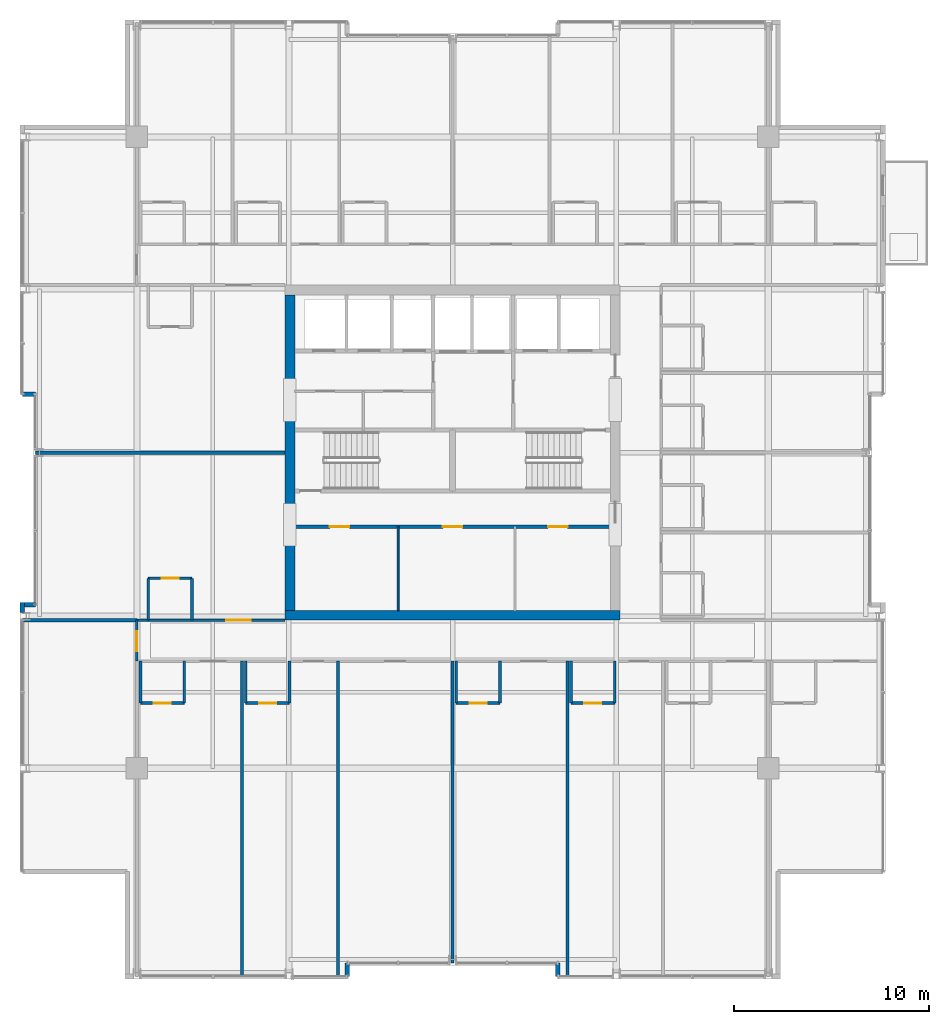
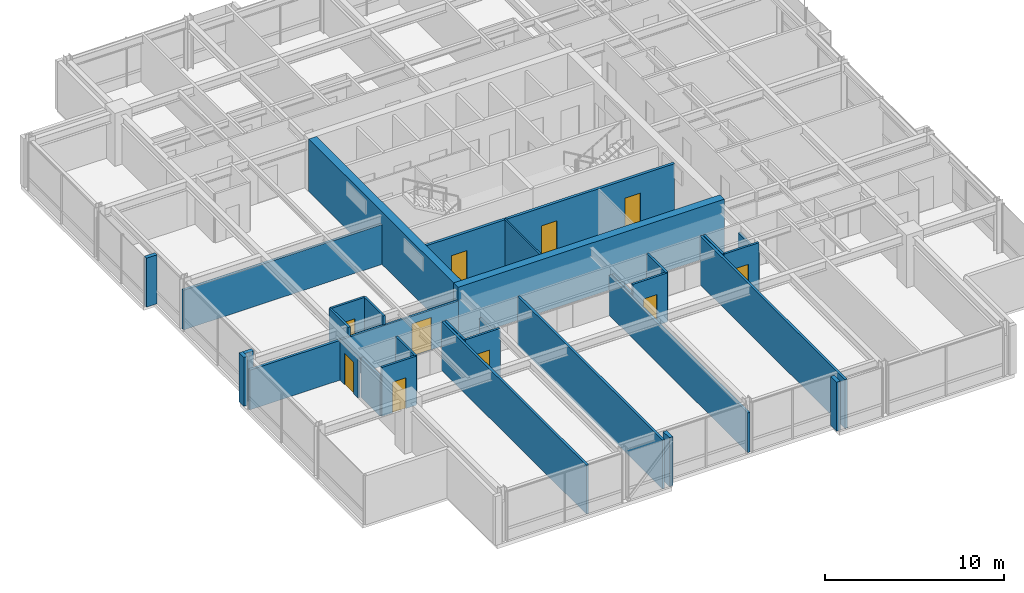
# One storey, part 27 of 34: 32 walls, 10 doors, 10 openings.
"""IFC4 building model written with IfcOpenShell, lengths in metres."""

from ifc_helpers import new_model, si_unit, direction, frame, frame_2d, origin, place, context, subcontext, project, spatial, rectangle, extrude, material, layer, layer_set, type_object, element, fill, save


model = new_model("IFC4")

# Units and contexts
model_context = context("Model", 3, precision=1e-05, world=origin(), true_north=direction((0.0, 1.0)))
body_context = subcontext(model_context, "Body", "Model", "MODEL_VIEW")
ifc_project = project(units=[si_unit("LENGTHUNIT", "METRE"), si_unit("AREAUNIT", "SQUARE_METRE"), si_unit("VOLUMEUNIT", "CUBIC_METRE"), si_unit("PLANEANGLEUNIT", "RADIAN"), si_unit("MASSUNIT", "GRAM", prefix="KILO")], contexts=[model_context])

# Site, building, storey
site_placement = place(None, origin())
site = spatial("IfcSite", under=ifc_project, at=site_placement, CompositionType="ELEMENT")
building_placement = place(site_placement, origin())
building = spatial("IfcBuilding", under=site, at=building_placement, Name="Drelvath Grand Hotel", CompositionType="ELEMENT")
storey_placement = place(building_placement, frame((0.0, 0.0, 208.699951171875)))
storey = spatial("IfcBuildingStorey", under=building, at=storey_placement, Name="L54", CompositionType="ELEMENT", Elevation=208.699951171875)

# Wall
ifc_material_1 = material(Name="Gypsum Partition Board")
ifc_layer_1 = layer(ifc_material_1, 0.10009765625)
ifc_layer_set_1 = layer_set([ifc_layer_1], Name="Gypsum Partition Board")
wall_type_1 = type_object("IfcWallType", Name="Core Closet Partition 100", PredefinedType="PARTITIONING", material=ifc_layer_set_1)
wall_1_placement = place(storey_placement, frame((-2.800048828125, 18.89990234375, 0.0), z_axis=(0.0, 0.0, 1.0), x_axis=(0.0, 1.0, 0.0)))
element("IfcWall", 1, at=wall_1_placement, inside=storey, type_object=wall_type_1, Name="L54 Upper Core Split 1A", PredefinedType="PARTITIONING", context=body_context, shape_type="SweptSolid", body=[
    extrude(rectangle(XDim=4.300048828125, YDim=0.10009765625, at=frame_2d((2.14990234375, 0.0))), origin(), (0.0, 0.0, 1.0), 3.340087890625),
])

# Wall, opening, door
ifc_material_2 = material(Name="Gypsum Fireboard Partition")
ifc_layer_2 = layer(ifc_material_2, 0.135009765625)
ifc_layer_set_2 = layer_set([ifc_layer_2], Name="Gypsum Fireboard Partition")
wall_type_2 = type_object("IfcWallType", Name="Corridor Fire Barrier Wall 135", PredefinedType="PARTITIONING", material=ifc_layer_set_2)
wall_2_placement = place(storey_placement, frame((-16.199951171875, 18.39990234375, 0.0), z_axis=(0.0, 0.0, 1.0), x_axis=(1.0, 0.0, 0.0)))
wall_2 = element("IfcWall", 2, at=wall_2_placement, inside=storey, type_object=wall_type_2, Name="L54 South Gallery Inner West Wall", PredefinedType="PARTITIONING", context=body_context, shape_type="SweptSolid", body=[
    extrude(rectangle(XDim=7.599853515625, YDim=0.135009765625, at=frame_2d((3.7998046875, 0.0))), origin(), (0.0, 0.0, 1.0), 2.717529296875),
])
opening_1_placement = place(wall_2_placement, frame((4.5849609375, 0.0, 0.0)))
opening_1 = element("IfcOpeningElement", 3, at=opening_1_placement, cuts=wall_2, Name="Opening D-T4G1-056", PredefinedType="OPENING", context=body_context, shape_type="SweptSolid", body=[
    extrude(rectangle(XDim=1.260009765625, YDim=2.199951171875, at=frame_2d((0.6298828125, 1.10009765625))), frame((0.0, 0.077392578125, 0.0), z_axis=(0.0, -1.0, 0.0), x_axis=(1.0, 0.0, 0.0)), (0.0, 0.0, 1.0), 0.155029296875),
])
ifc_material_3 = material(Name="Hardwood Walnut Timber", Category="wood")
door_type_1 = type_object("IfcDoorType", Name="Suite Entrance Fire Door 1260x2200", OperationType="NOTDEFINED", PredefinedType="DOOR", material=ifc_material_3)
door_1_placement = place(opening_1_placement, origin())
door_1 = element("IfcDoor", 4, at=door_1_placement, inside=storey, type_object=door_type_1, Name="L54 Diplomatic Suite Entry Door", OperationType="SINGLE_SWING_LEFT", OverallHeight=2.199951171875, OverallWidth=1.260009765625, PredefinedType="DOOR", context=body_context, shape_type="SweptSolid", body=[
    extrude(rectangle(XDim=1.260009765625, YDim=2.199951171875, at=frame_2d((0.6298828125, 1.10009765625))), frame((0.0, 0.02490234375, 0.0), z_axis=(0.0, -1.0, 0.0), x_axis=(1.0, 0.0, 0.0)), (0.0, 0.0, 1.0), 0.050048828125),
])
fill(opening_1, door_1)

wall_3_placement = place(storey_placement, frame((-16.199951171875, 16.300048828125, 0.0), z_axis=(0.0, 0.0, 1.0), x_axis=(0.0, 1.0, 0.0)))
wall_3 = element("IfcWall", 5, at=wall_3_placement, inside=storey, type_object=wall_type_2, Name="L54 South Gallery West End", PredefinedType="PARTITIONING", context=body_context, shape_type="SweptSolid", body=[
    extrude(rectangle(XDim=2.099853515625, YDim=0.135009765625, at=frame_2d((1.0498046875, 0.0))), origin(), (0.0, 0.0, 1.0), 2.7138671875),
])
opening_2_placement = place(wall_3_placement, frame((0.52001953125, 0.0, 0.0)))
opening_2 = element("IfcOpeningElement", 6, at=opening_2_placement, cuts=wall_3, Name="Opening D-T4G1-019", PredefinedType="OPENING", context=body_context, shape_type="SweptSolid", body=[
    extrude(rectangle(XDim=1.02001953125, YDim=2.14990234375, at=frame_2d((0.510009765625, 1.074951171875))), frame((0.0, 0.077392578125, 0.0), z_axis=(0.0, -1.0, 0.0), x_axis=(1.0, 0.0, 0.0)), (0.0, 0.0, 1.0), 0.155029296875),
])
door_type_2 = type_object("IfcDoorType", Name="Amenity Meeting Fire Door 1020x2150", OperationType="NOTDEFINED", PredefinedType="DOOR", material=ifc_material_3)
door_2_placement = place(opening_2_placement, origin())
door_2 = element("IfcDoor", 7, at=door_2_placement, inside=storey, type_object=door_type_2, Name="L54 Corner Panorama Lounge Door", OperationType="SINGLE_SWING_RIGHT", OverallHeight=2.14990234375, OverallWidth=1.02001953125, PredefinedType="DOOR", context=body_context, shape_type="SweptSolid", body=[
    extrude(rectangle(XDim=1.02001953125, YDim=2.14990234375, at=frame_2d((0.510009765625, 1.074951171875))), frame((0.0, 0.02490234375, 0.0), z_axis=(0.0, -1.0, 0.0), x_axis=(1.0, 0.0, 0.0)), (0.0, 0.0, 1.0), 0.050048828125),
])
fill(opening_2, door_2)

# Walls
ifc_material_4 = material(Name="Moisture-Resistant Gypsum Board")
ifc_layer_3 = layer(ifc_material_4, 0.139892578125)
ifc_layer_set_3 = layer_set([ifc_layer_3], Name="Moisture-Resistant Gypsum Board")
wall_type_3 = type_object("IfcWallType", Name="En-Suite Plumbing Wall 140", PredefinedType="PLUMBINGWALL", material=ifc_layer_set_3)
wall_4_placement = place(storey_placement, frame((-16.02001953125, 16.300048828125, 0.0), z_axis=(0.0, 0.0, 1.0), x_axis=(0.0, -1.0, 0.0)))
element("IfcWall", 8, at=wall_4_placement, inside=storey, type_object=wall_type_3, Name="L54 En-Suite Left Wall", PredefinedType="PLUMBINGWALL", context=body_context, shape_type="SweptSolid", body=[
    extrude(rectangle(XDim=2.150146484375, YDim=0.139892578125, at=frame_2d((1.0751953125, 0.0))), origin(), (0.0, 0.0, 1.0), 2.7138671875),
])
wall_5_placement = place(storey_placement, frame((-13.77001953125, 16.300048828125, 0.0), z_axis=(0.0, 0.0, 1.0), x_axis=(0.0, -1.0, 0.0)))
element("IfcWall", 9, at=wall_5_placement, inside=storey, type_object=wall_type_3, Name="L54 En-Suite Right Wall", PredefinedType="PLUMBINGWALL", context=body_context, shape_type="SweptSolid", body=[
    extrude(rectangle(XDim=2.150146484375, YDim=0.139892578125, at=frame_2d((1.0751953125, 0.0))), origin(), (0.0, 0.0, 1.0), 3.340087890625),
])

# Wall, opening, door
wall_6_placement = place(storey_placement, frame((-16.02001953125, 14.14990234375, 0.0), z_axis=(0.0, 0.0, 1.0), x_axis=(1.0, 0.0, 0.0)))
wall_6 = element("IfcWall", 10, at=wall_6_placement, inside=storey, type_object=wall_type_3, Name="L54 En-Suite Front Wall", PredefinedType="PLUMBINGWALL", context=body_context, shape_type="SweptSolid", body=[
    extrude(rectangle(XDim=2.25, YDim=0.139892578125, at=frame_2d((1.125, 0.0))), origin(), (0.0, 0.0, 1.0), 3.340087890625),
])
opening_3_placement = place(wall_6_placement, frame((0.68505859375, 0.0, 0.0)))
opening_3 = element("IfcOpeningElement", 11, at=opening_3_placement, cuts=wall_6, Name="Opening D-T4G1-025", PredefinedType="OPENING", context=body_context, shape_type="SweptSolid", body=[
    extrude(rectangle(XDim=0.8798828125, YDim=2.10009765625, at=frame_2d((0.43994140625, 1.050048828125))), frame((0.0, 0.079833984375, 0.0), z_axis=(0.0, -1.0, 0.0), x_axis=(1.0, 0.0, 0.0)), (0.0, 0.0, 1.0), 0.159912109375),
])
door_type_3 = type_object("IfcDoorType", Name="En-Suite Bathroom Door 880x2100", OperationType="NOTDEFINED", PredefinedType="DOOR", material=ifc_material_3)
door_3_placement = place(opening_3_placement, origin())
door_3 = element("IfcDoor", 12, at=door_3_placement, inside=storey, type_object=door_type_3, Name="L54 En-Suite Bathroom Door", OperationType="SINGLE_SWING_RIGHT", OverallHeight=2.10009765625, OverallWidth=0.8798828125, PredefinedType="DOOR", context=body_context, shape_type="SweptSolid", body=[
    extrude(rectangle(XDim=0.8798828125, YDim=2.10009765625, at=frame_2d((0.43994140625, 1.050048828125))), frame((0.0, 0.02490234375, 0.0), z_axis=(0.0, -1.0, 0.0), x_axis=(1.0, 0.0, 0.0)), (0.0, 0.0, 1.0), 0.050048828125),
])
fill(opening_3, door_3)

# Walls
wall_7_placement = place(storey_placement, frame((-10.6201171875, 16.300048828125, 0.0), z_axis=(0.0, 0.0, 1.0), x_axis=(0.0, -1.0, 0.0)))
element("IfcWall", 13, at=wall_7_placement, inside=storey, type_object=wall_type_3, Name="L54 En-Suite Left Wall", PredefinedType="PLUMBINGWALL", context=body_context, shape_type="SweptSolid", body=[
    extrude(rectangle(XDim=2.150146484375, YDim=0.139892578125, at=frame_2d((1.0751953125, 0.0))), origin(), (0.0, 0.0, 1.0), 3.340087890625),
])
wall_8_placement = place(storey_placement, frame((-8.3701171875, 16.300048828125, 0.0), z_axis=(0.0, 0.0, 1.0), x_axis=(0.0, -1.0, 0.0)))
element("IfcWall", 14, at=wall_8_placement, inside=storey, type_object=wall_type_3, Name="L54 En-Suite Right Wall", PredefinedType="PLUMBINGWALL", context=body_context, shape_type="SweptSolid", body=[
    extrude(rectangle(XDim=2.150146484375, YDim=0.139892578125, at=frame_2d((1.0751953125, 0.0))), origin(), (0.0, 0.0, 1.0), 2.717529296875),
])

# Wall, opening, door
wall_9_placement = place(storey_placement, frame((-10.6201171875, 14.14990234375, 0.0), z_axis=(0.0, 0.0, 1.0), x_axis=(1.0, 0.0, 0.0)))
wall_9 = element("IfcWall", 15, at=wall_9_placement, inside=storey, type_object=wall_type_3, Name="L54 En-Suite Front Wall", PredefinedType="PLUMBINGWALL", context=body_context, shape_type="SweptSolid", body=[
    extrude(rectangle(XDim=2.25, YDim=0.139892578125, at=frame_2d((1.125, 0.0))), origin(), (0.0, 0.0, 1.0), 3.340087890625),
])
opening_4_placement = place(wall_9_placement, frame((0.68505859375, 0.0, 0.0)))
opening_4 = element("IfcOpeningElement", 16, at=opening_4_placement, cuts=wall_9, Name="Opening D-T4G1-027", PredefinedType="OPENING", context=body_context, shape_type="SweptSolid", body=[
    extrude(rectangle(XDim=0.8798828125, YDim=2.10009765625, at=frame_2d((0.43994140625, 1.050048828125))), frame((0.0, 0.079833984375, 0.0), z_axis=(0.0, -1.0, 0.0), x_axis=(1.0, 0.0, 0.0)), (0.0, 0.0, 1.0), 0.159912109375),
])
door_4_placement = place(opening_4_placement, origin())
door_4 = element("IfcDoor", 17, at=door_4_placement, inside=storey, type_object=door_type_3, Name="L54 En-Suite Bathroom Door", OperationType="SINGLE_SWING_RIGHT", OverallHeight=2.10009765625, OverallWidth=0.8798828125, PredefinedType="DOOR", context=body_context, shape_type="SweptSolid", body=[
    extrude(rectangle(XDim=0.8798828125, YDim=2.10009765625, at=frame_2d((0.43994140625, 1.050048828125))), frame((0.0, 0.02490234375, 0.0), z_axis=(0.0, -1.0, 0.0), x_axis=(1.0, 0.0, 0.0)), (0.0, 0.0, 1.0), 0.050048828125),
])
fill(opening_4, door_4)

# Walls
wall_10_placement = place(storey_placement, frame((0.179931640625, 16.300048828125, 0.0), z_axis=(0.0, 0.0, 1.0), x_axis=(0.0, -1.0, 0.0)))
element("IfcWall", 18, at=wall_10_placement, inside=storey, type_object=wall_type_3, Name="L54 En-Suite Left Wall", PredefinedType="PLUMBINGWALL", context=body_context, shape_type="SweptSolid", body=[
    extrude(rectangle(XDim=2.150146484375, YDim=0.139892578125, at=frame_2d((1.0751953125, 0.0))), origin(), (0.0, 0.0, 1.0), 2.717529296875),
])
wall_11_placement = place(storey_placement, frame((2.429931640625, 16.300048828125, 0.0), z_axis=(0.0, 0.0, 1.0), x_axis=(0.0, -1.0, 0.0)))
element("IfcWall", 19, at=wall_11_placement, inside=storey, type_object=wall_type_3, Name="L54 En-Suite Right Wall", PredefinedType="PLUMBINGWALL", context=body_context, shape_type="SweptSolid", body=[
    extrude(rectangle(XDim=2.150146484375, YDim=0.139892578125, at=frame_2d((1.0751953125, 0.0))), origin(), (0.0, 0.0, 1.0), 3.340087890625),
])

# Wall, opening, door
wall_12_placement = place(storey_placement, frame((0.179931640625, 14.14990234375, 0.0), z_axis=(0.0, 0.0, 1.0), x_axis=(1.0, 0.0, 0.0)))
wall_12 = element("IfcWall", 20, at=wall_12_placement, inside=storey, type_object=wall_type_3, Name="L54 En-Suite Front Wall", PredefinedType="PLUMBINGWALL", context=body_context, shape_type="SweptSolid", body=[
    extrude(rectangle(XDim=2.25, YDim=0.139892578125, at=frame_2d((1.125, 0.0))), origin(), (0.0, 0.0, 1.0), 3.340087890625),
])
opening_5_placement = place(wall_12_placement, frame((0.68505859375, 0.0, 0.0)))
opening_5 = element("IfcOpeningElement", 21, at=opening_5_placement, cuts=wall_12, Name="Opening D-T4G1-030", PredefinedType="OPENING", context=body_context, shape_type="SweptSolid", body=[
    extrude(rectangle(XDim=0.8798828125, YDim=2.10009765625, at=frame_2d((0.43994140625, 1.050048828125))), frame((0.0, 0.079833984375, 0.0), z_axis=(0.0, -1.0, 0.0), x_axis=(1.0, 0.0, 0.0)), (0.0, 0.0, 1.0), 0.159912109375),
])
door_5_placement = place(opening_5_placement, origin())
door_5 = element("IfcDoor", 22, at=door_5_placement, inside=storey, type_object=door_type_3, Name="L54 En-Suite Bathroom Door", OperationType="SINGLE_SWING_LEFT", OverallHeight=2.10009765625, OverallWidth=0.8798828125, PredefinedType="DOOR", context=body_context, shape_type="SweptSolid", body=[
    extrude(rectangle(XDim=0.8798828125, YDim=2.10009765625, at=frame_2d((0.43994140625, 1.050048828125))), frame((0.0, 0.02490234375, 0.0), z_axis=(0.0, -1.0, 0.0), x_axis=(1.0, 0.0, 0.0)), (0.0, 0.0, 1.0), 0.050048828125),
])
fill(opening_5, door_5)

# Walls
wall_13_placement = place(storey_placement, frame((6.07080078125, 16.300048828125, 0.0), z_axis=(0.0, 0.0, 1.0), x_axis=(0.0, -1.0, 0.0)))
element("IfcWall", 23, at=wall_13_placement, inside=storey, type_object=wall_type_3, Name="L54 En-Suite Left Wall", PredefinedType="PLUMBINGWALL", context=body_context, shape_type="SweptSolid", body=[
    extrude(rectangle(XDim=2.150146484375, YDim=0.139892578125, at=frame_2d((1.0751953125, 0.0))), origin(), (0.0, 0.0, 1.0), 3.340087890625),
])
wall_14_placement = place(storey_placement, frame((8.32080078125, 16.300048828125, 0.0), z_axis=(0.0, 0.0, 1.0), x_axis=(0.0, -1.0, 0.0)))
element("IfcWall", 24, at=wall_14_placement, inside=storey, type_object=wall_type_3, Name="L54 En-Suite Right Wall", PredefinedType="PLUMBINGWALL", context=body_context, shape_type="SweptSolid", body=[
    extrude(rectangle(XDim=2.150146484375, YDim=0.139892578125, at=frame_2d((1.0751953125, 0.0))), origin(), (0.0, 0.0, 1.0), 2.717529296875),
])

# Wall, opening, door
wall_15_placement = place(storey_placement, frame((6.07080078125, 14.14990234375, 0.0), z_axis=(0.0, 0.0, 1.0), x_axis=(1.0, 0.0, 0.0)))
wall_15 = element("IfcWall", 25, at=wall_15_placement, inside=storey, type_object=wall_type_3, Name="L54 En-Suite Front Wall", PredefinedType="PLUMBINGWALL", context=body_context, shape_type="SweptSolid", body=[
    extrude(rectangle(XDim=2.25, YDim=0.139892578125, at=frame_2d((1.125, 0.0))), origin(), (0.0, 0.0, 1.0), 3.340087890625),
])
opening_6_placement = place(wall_15_placement, frame((0.68505859375, 0.0, 0.0)))
opening_6 = element("IfcOpeningElement", 26, at=opening_6_placement, cuts=wall_15, Name="Opening D-T4G1-032", PredefinedType="OPENING", context=body_context, shape_type="SweptSolid", body=[
    extrude(rectangle(XDim=0.8798828125, YDim=2.10009765625, at=frame_2d((0.43994140625, 1.050048828125))), frame((0.0, 0.079833984375, 0.0), z_axis=(0.0, -1.0, 0.0), x_axis=(1.0, 0.0, 0.0)), (0.0, 0.0, 1.0), 0.159912109375),
])
door_6_placement = place(opening_6_placement, origin())
door_6 = element("IfcDoor", 27, at=door_6_placement, inside=storey, type_object=door_type_3, Name="L54 En-Suite Bathroom Door", OperationType="SINGLE_SWING_LEFT", OverallHeight=2.10009765625, OverallWidth=0.8798828125, PredefinedType="DOOR", context=body_context, shape_type="SweptSolid", body=[
    extrude(rectangle(XDim=0.8798828125, YDim=2.10009765625, at=frame_2d((0.43994140625, 1.050048828125))), frame((0.0, 0.02490234375, 0.0), z_axis=(0.0, -1.0, 0.0), x_axis=(1.0, 0.0, 0.0)), (0.0, 0.0, 1.0), 0.050048828125),
])
fill(opening_6, door_6)

# Walls
for number, where, z_axis, x_axis, name in (
    (28, (-15.6201171875, 18.39990234375, 0.0), (0.0, 0.0, 1.0), (0.0, 1.0, 0.0), "L54 En-Suite Left Wall"),
    (29, (-13.3701171875, 18.39990234375, 0.0), (0.0, 0.0, 1.0), (0.0, 1.0, 0.0), "L54 En-Suite Right Wall"),
):
    element("IfcWall", number, at=place(storey_placement, frame(where, z_axis=z_axis, x_axis=x_axis)), inside=storey, type_object=wall_type_3, Name=name, PredefinedType="PLUMBINGWALL", context=body_context, shape_type="SweptSolid", body=[
        extrude(rectangle(XDim=2.150146484375, YDim=0.139892578125, at=frame_2d((1.0751953125, 0.0))), origin(), (0.0, 0.0, 1.0), 3.340087890625),
    ])

# Wall, opening, door
wall_16_placement = place(storey_placement, frame((-15.6201171875, 20.550048828125, 0.0), z_axis=(0.0, 0.0, 1.0), x_axis=(1.0, 0.0, 0.0)))
wall_16 = element("IfcWall", 30, at=wall_16_placement, inside=storey, type_object=wall_type_3, Name="L54 En-Suite Front Wall", PredefinedType="PLUMBINGWALL", context=body_context, shape_type="SweptSolid", body=[
    extrude(rectangle(XDim=2.25, YDim=0.139892578125, at=frame_2d((1.125, 0.0))), origin(), (0.0, 0.0, 1.0), 3.340087890625),
])
opening_7_placement = place(wall_16_placement, frame((0.68505859375, 0.0, 0.0)))
opening_7 = element("IfcOpeningElement", 31, at=opening_7_placement, cuts=wall_16, Name="Opening D-T4G1-055", PredefinedType="OPENING", context=body_context, shape_type="SweptSolid", body=[
    extrude(rectangle(XDim=0.8798828125, YDim=2.10009765625, at=frame_2d((0.43994140625, 1.050048828125))), frame((0.0, 0.079833984375, 0.0), z_axis=(0.0, -1.0, 0.0), x_axis=(1.0, 0.0, 0.0)), (0.0, 0.0, 1.0), 0.159912109375),
])
door_7_placement = place(opening_7_placement, origin())
door_7 = element("IfcDoor", 32, at=door_7_placement, inside=storey, type_object=door_type_3, Name="L54 En-Suite Bathroom Door", OperationType="SINGLE_SWING_RIGHT", OverallHeight=2.10009765625, OverallWidth=0.8798828125, PredefinedType="DOOR", context=body_context, shape_type="SweptSolid", body=[
    extrude(rectangle(XDim=0.8798828125, YDim=2.10009765625, at=frame_2d((0.43994140625, 1.050048828125))), frame((0.0, 0.02490234375, 0.0), z_axis=(0.0, -1.0, 0.0), x_axis=(1.0, 0.0, 0.0)), (0.0, 0.0, 1.0), 0.050048828125),
])
fill(opening_7, door_7)

# Wall, openings, doors
ifc_layer_4 = layer(ifc_material_2, 0.179931640625)
ifc_layer_set_4 = layer_set([ifc_layer_4], Name="Gypsum Fireboard Partition")
wall_type_4 = type_object("IfcWallType", Name="FSAE Smoke Lobby Fire Wall 180", PredefinedType="SOLIDWALL", material=ifc_layer_set_4)
wall_17_placement = place(storey_placement, frame((-8.10009765625, 23.199951171875, 0.0), z_axis=(0.0, 0.0, 1.0), x_axis=(1.0, 0.0, 0.0)))
wall_17 = element("IfcWall", 33, at=wall_17_placement, inside=storey, type_object=wall_type_4, Name="L54 Upper Reclaimed Core Wall", PredefinedType="SOLIDWALL", context=body_context, shape_type="SweptSolid", body=[
    extrude(rectangle(XDim=16.2001953125, YDim=0.179931640625, at=frame_2d((8.10009765625, 0.0))), origin(), (0.0, 0.0, 1.0), 3.340087890625),
])
opening_8_placement = place(wall_17_placement, frame((1.800048828125, 0.0, 0.0)))
opening_8 = element("IfcOpeningElement", 34, at=opening_8_placement, cuts=wall_17, Name="Opening D-T4G1-016", PredefinedType="OPENING", context=body_context, shape_type="SweptSolid", body=[
    extrude(rectangle(XDim=1.0, YDim=2.10009765625, at=frame_2d((0.5, 1.050048828125))), frame((0.0, 0.099853515625, 0.0), z_axis=(0.0, -1.0, 0.0), x_axis=(1.0, 0.0, 0.0)), (0.0, 0.0, 1.0), 0.199951171875),
])
opening_9_placement = place(wall_17_placement, frame((7.60009765625, 0.0, 0.0)))
opening_9 = element("IfcOpeningElement", 35, at=opening_9_placement, cuts=wall_17, Name="Opening D-T4G1-017", PredefinedType="OPENING", context=body_context, shape_type="SweptSolid", body=[
    extrude(rectangle(XDim=1.0, YDim=2.10009765625, at=frame_2d((0.5, 1.050048828125))), frame((0.0, 0.099853515625, 0.0), z_axis=(0.0, -1.0, 0.0), x_axis=(1.0, 0.0, 0.0)), (0.0, 0.0, 1.0), 0.199951171875),
])
opening_10_placement = place(wall_17_placement, frame((13.0, 0.0, 0.0)))
opening_10 = element("IfcOpeningElement", 36, at=opening_10_placement, cuts=wall_17, Name="Opening D-T4G1-018", PredefinedType="OPENING", context=body_context, shape_type="SweptSolid", body=[
    extrude(rectangle(XDim=1.0, YDim=2.10009765625, at=frame_2d((0.5, 1.050048828125))), frame((0.0, 0.099853515625, 0.0), z_axis=(0.0, -1.0, 0.0), x_axis=(1.0, 0.0, 0.0)), (0.0, 0.0, 1.0), 0.199951171875),
])
ifc_material_5 = material(Name="Painted Steel S275", Category="steel")
door_type_4 = type_object("IfcDoorType", Name="Core Service Fire Door 1000x2100", OperationType="NOTDEFINED", PredefinedType="DOOR", material=ifc_material_5)
door_8_placement = place(opening_8_placement, origin())
door_8 = element("IfcDoor", 37, at=door_8_placement, inside=storey, type_object=door_type_4, Name="L54 Housekeeping Door", OperationType="SINGLE_SWING_LEFT", OverallHeight=2.10009765625, OverallWidth=1.0, PredefinedType="DOOR", context=body_context, shape_type="SweptSolid", body=[
    extrude(rectangle(XDim=1.0, YDim=2.10009765625, at=frame_2d((0.5, 1.050048828125))), frame((0.0, 0.02490234375, 0.0), z_axis=(0.0, -1.0, 0.0), x_axis=(1.0, 0.0, 0.0)), (0.0, 0.0, 1.0), 0.050048828125),
])
fill(opening_8, door_8)
door_9_placement = place(opening_9_placement, origin())
door_9 = element("IfcDoor", 38, at=door_9_placement, inside=storey, type_object=door_type_4, Name="L54 Prep Pantry Door", OperationType="SINGLE_SWING_RIGHT", OverallHeight=2.10009765625, OverallWidth=1.0, PredefinedType="DOOR", context=body_context, shape_type="SweptSolid", body=[
    extrude(rectangle(XDim=1.0, YDim=2.10009765625, at=frame_2d((0.5, 1.050048828125))), frame((0.0, 0.02490234375, 0.0), z_axis=(0.0, -1.0, 0.0), x_axis=(1.0, 0.0, 0.0)), (0.0, 0.0, 1.0), 0.050048828125),
])
fill(opening_9, door_9)
door_10_placement = place(opening_10_placement, origin())
door_10 = element("IfcDoor", 39, at=door_10_placement, inside=storey, type_object=door_type_4, Name="L54 AV Room Door", OperationType="SINGLE_SWING_LEFT", OverallHeight=2.10009765625, OverallWidth=1.0, PredefinedType="DOOR", context=body_context, shape_type="SweptSolid", body=[
    extrude(rectangle(XDim=1.0, YDim=2.10009765625, at=frame_2d((0.5, 1.050048828125))), frame((0.0, 0.02490234375, 0.0), z_axis=(0.0, -1.0, 0.0), x_axis=(1.0, 0.0, 0.0)), (0.0, 0.0, 1.0), 0.050048828125),
])
fill(opening_10, door_10)

# Walls
ifc_material_6 = material(Name="Gypsum Acoustic Partition")
ifc_layer_5 = layer(ifc_material_6, 0.14990234375)
ifc_layer_set_5 = layer_set([ifc_layer_5], Name="Gypsum Acoustic Partition")
wall_type_5 = type_object("IfcWallType", Name="Guestroom Demising Wall 150", PredefinedType="PARTITIONING", material=ifc_layer_set_5)
for number, where, z_axis, x_axis, name in (
    (40, (-10.800048828125, 0.1201171875, 0.0), (0.0, 0.0, 1.0), (0.0, 1.0, 0.0), "L54 South Demising 1"),
    (41, (-5.890869140625, 0.1201171875, 0.0), (0.0, 0.0, 1.0), (0.0, 1.0, 0.0), "L54 South Demising 2"),
):
    element("IfcWall", number, at=place(storey_placement, frame(where, z_axis=z_axis, x_axis=x_axis)), inside=storey, type_object=wall_type_5, Name=name, PredefinedType="PARTITIONING", context=body_context, shape_type="SweptSolid", body=[
        extrude(rectangle(XDim=16.179931640625, YDim=0.14990234375, at=frame_2d((8.08984375, 0.0))), origin(), (0.0, 0.0, 1.0), 3.340087890625),
    ])
wall_18_placement = place(storey_placement, frame((0.0, 0.800048828125, 0.0), z_axis=(0.0, 0.0, 1.0), x_axis=(0.0, 1.0, 0.0)))
element("IfcWall", 42, at=wall_18_placement, inside=storey, type_object=wall_type_5, Name="L54 South Demising 3", PredefinedType="PARTITIONING", context=body_context, shape_type="SweptSolid", body=[
    extrude(rectangle(XDim=15.5, YDim=0.14990234375, at=frame_2d((7.75, 0.0))), origin(), (0.0, 0.0, 1.0), 2.7138671875),
])
wall_19_placement = place(storey_placement, frame((5.890869140625, 0.1201171875, 0.0), z_axis=(0.0, 0.0, 1.0), x_axis=(0.0, 1.0, 0.0)))
element("IfcWall", 43, at=wall_19_placement, inside=storey, type_object=wall_type_5, Name="L54 South Demising 4", PredefinedType="PARTITIONING", context=body_context, shape_type="SweptSolid", body=[
    extrude(rectangle(XDim=16.179931640625, YDim=0.14990234375, at=frame_2d((8.08984375, 0.0))), origin(), (0.0, 0.0, 1.0), 3.340087890625),
])
ifc_layer_6 = layer(ifc_material_6, 0.1650390625)
ifc_layer_set_6 = layer_set([ifc_layer_6], Name="Gypsum Acoustic Partition")
wall_type_6 = type_object("IfcWallType", Name="Suite Demising Wall 165", PredefinedType="PARTITIONING", material=ifc_layer_set_6)
wall_20_placement = place(storey_placement, frame((-22.080078125, 18.39990234375, 0.0), z_axis=(0.0, 0.0, 1.0), x_axis=(1.0, 0.0, 0.0)))
element("IfcWall", 44, at=wall_20_placement, inside=storey, type_object=wall_type_6, Name="L54 SW Corner North Wall", PredefinedType="PARTITIONING", context=body_context, shape_type="SweptSolid", body=[
    extrude(rectangle(XDim=5.880126953125, YDim=0.1650390625, at=frame_2d((2.93994140625, 0.0))), origin(), (0.0, 0.0, 1.0), 2.7138671875),
])
wall_21_placement = place(storey_placement, frame((-21.39990234375, 27.0, 0.0), z_axis=(0.0, 0.0, 1.0), x_axis=(1.0, 0.0, 0.0)))
element("IfcWall", 45, at=wall_21_placement, inside=storey, type_object=wall_type_6, Name="L54 West Grand Suite Split Wall", PredefinedType="PARTITIONING", context=body_context, shape_type="SweptSolid", body=[
    extrude(rectangle(XDim=12.7998046875, YDim=0.1650390625, at=frame_2d((6.39990234375, 0.0))), origin(), (0.0, 0.0, 1.0), 2.7138671875),
])
ifc_material_7 = material(Name="Pale-Metal Insulated Aluminium Spandrel Assembly", Category="aluminium")
ifc_layer_7 = layer(ifc_material_7, 0.239990234375)
ifc_layer_set_7 = layer_set([ifc_layer_7], Name="Pale-Metal Insulated Aluminium Spandrel Assembly")
wall_type_7 = type_object("IfcWallType", Name="Tower Insulated Metal Spandrel Closure Wall 240", PredefinedType="STANDARD", material=ifc_layer_set_7)
wall_22_placement = place(storey_placement, frame((-22.080078125, 18.785400390625, 0.0), z_axis=(0.0, 0.0, 1.0), x_axis=(0.0, 1.0, 0.0)))
element("IfcWall", 46, at=wall_22_placement, inside=storey, type_object=wall_type_7, Name="L54 Corner Pier Spandrel Wall WS3", PredefinedType="STANDARD", context=body_context, shape_type="SweptSolid", body=[
    extrude(rectangle(XDim=0.53466796875, YDim=0.239990234375, at=frame_2d((0.267333984375, 0.0))), origin(), (0.0, 0.0, 1.0), 3.340087890625),
])
wall_23_placement = place(storey_placement, frame((-21.9599609375, 19.199951171875, 0.0), z_axis=(0.0, 0.0, 1.0), x_axis=(1.0, 0.0, 0.0)))
element("IfcWall", 47, at=wall_23_placement, inside=storey, type_object=wall_type_7, Name="L54 Notched Corner Return Spandrel Wall RW1", PredefinedType="STANDARD", context=body_context, shape_type="SweptSolid", body=[
    extrude(rectangle(XDim=0.56005859375, YDim=0.239990234375, at=frame_2d((0.280029296875, 0.0))), origin(), (0.0, 0.0, 1.0), 3.340087890625),
])
wall_24_placement = place(storey_placement, frame((-21.39990234375, 30.0, 0.0), z_axis=(0.0, 0.0, 1.0), x_axis=(-1.0, 0.0, 0.0)))
element("IfcWall", 48, at=wall_24_placement, inside=storey, type_object=wall_type_7, Name="L54 Notched Corner Return Spandrel Wall RW2", PredefinedType="STANDARD", context=body_context, shape_type="SweptSolid", body=[
    extrude(rectangle(XDim=0.68017578125, YDim=0.239990234375, at=frame_2d((0.340087890625, 0.0))), origin(), (0.0, 0.0, 1.0), 3.340087890625),
])
for number, where, z_axis, x_axis, name in (
    (49, (5.39990234375, 0.1201171875, 0.0), (0.0, 0.0, 1.0), (0.0, 1.0, 0.0), "L54 Notched Corner Return Spandrel Wall RS1"),
    (50, (-5.39990234375, 0.800048828125, 0.0), (0.0, 0.0, 1.0), (0.0, -1.0, 0.0), "L54 Notched Corner Return Spandrel Wall RS2"),
):
    element("IfcWall", number, at=place(storey_placement, frame(where, z_axis=z_axis, x_axis=x_axis)), inside=storey, type_object=wall_type_7, Name=name, PredefinedType="STANDARD", context=body_context, shape_type="SweptSolid", body=[
        extrude(rectangle(XDim=0.679931640625, YDim=0.239990234375, at=frame_2d((0.33984375, 0.0))), origin(), (0.0, 0.0, 1.0), 3.340087890625),
    ])
ifc_material_8 = material(Name="Concrete f'c 55 MPa", Category="concrete")
ifc_layer_8 = layer(ifc_material_8, 0.5)
ifc_layer_set_8 = layer_set([ifc_layer_8], Name="Concrete f'c 55 MPa")
wall_type_8 = type_object("IfcWallType", Name="Upper Core RC Shear Wall 500", PredefinedType="SHEAR", material=ifc_layer_set_8)
wall_25_placement = place(storey_placement, frame((8.60009765625, 18.64990234375, 0.0), z_axis=(0.0, 0.0, 1.0), x_axis=(-1.0, 0.0, 0.0)))
element("IfcWall", 51, at=wall_25_placement, inside=storey, type_object=wall_type_8, Name="L54 Central Core Shear Wall S", PredefinedType="SHEAR", context=body_context, shape_type="SweptSolid", body=[
    extrude(rectangle(XDim=17.2001953125, YDim=0.5, at=frame_2d((8.60009765625, 0.0))), origin(), (0.0, 0.0, 1.0), 3.60009765625),
])
wall_26_placement = place(storey_placement, frame((-8.35009765625, 18.89990234375, 0.0), z_axis=(0.0, 0.0, 1.0), x_axis=(0.0, 1.0, 0.0)))
element("IfcWall", 52, at=wall_26_placement, inside=storey, type_object=wall_type_8, Name="L54 Central Core Shear Wall W", PredefinedType="SHEAR", context=body_context, shape_type="SweptSolid", body=[
    extrude(rectangle(XDim=16.2001953125, YDim=0.5, at=frame_2d((8.10009765625, 0.0))), origin(), (0.0, 0.0, 1.0), 3.60009765625),
])

save(model, "model.ifc")
